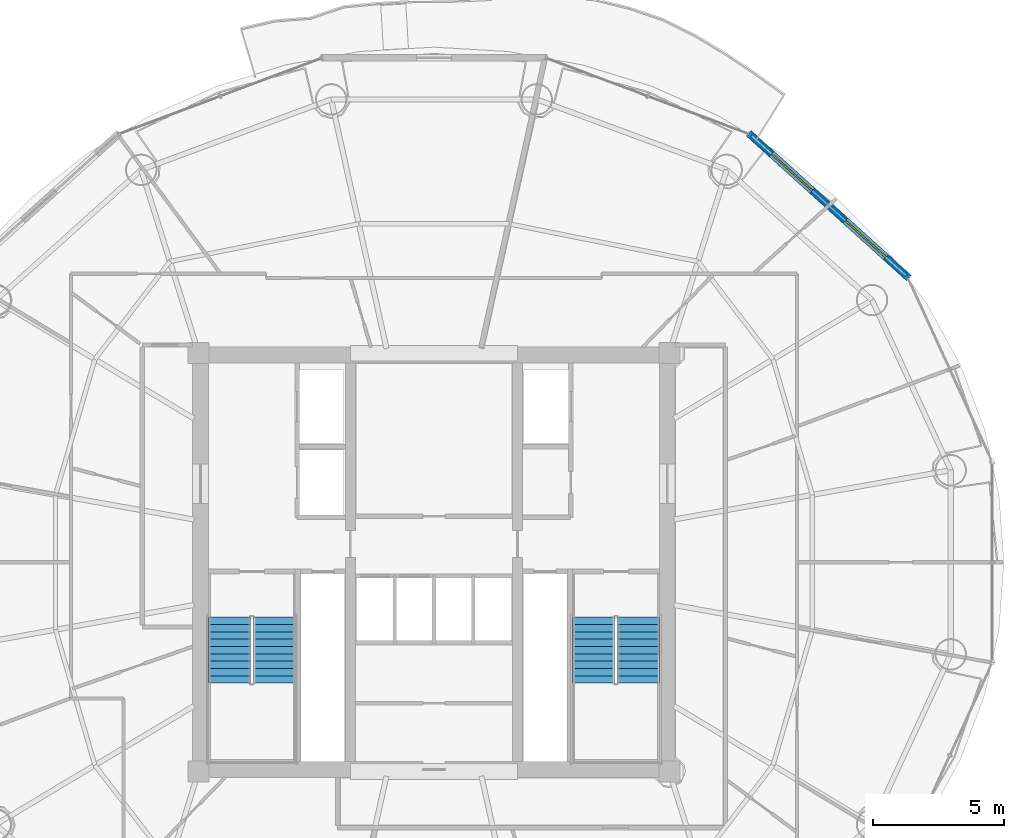
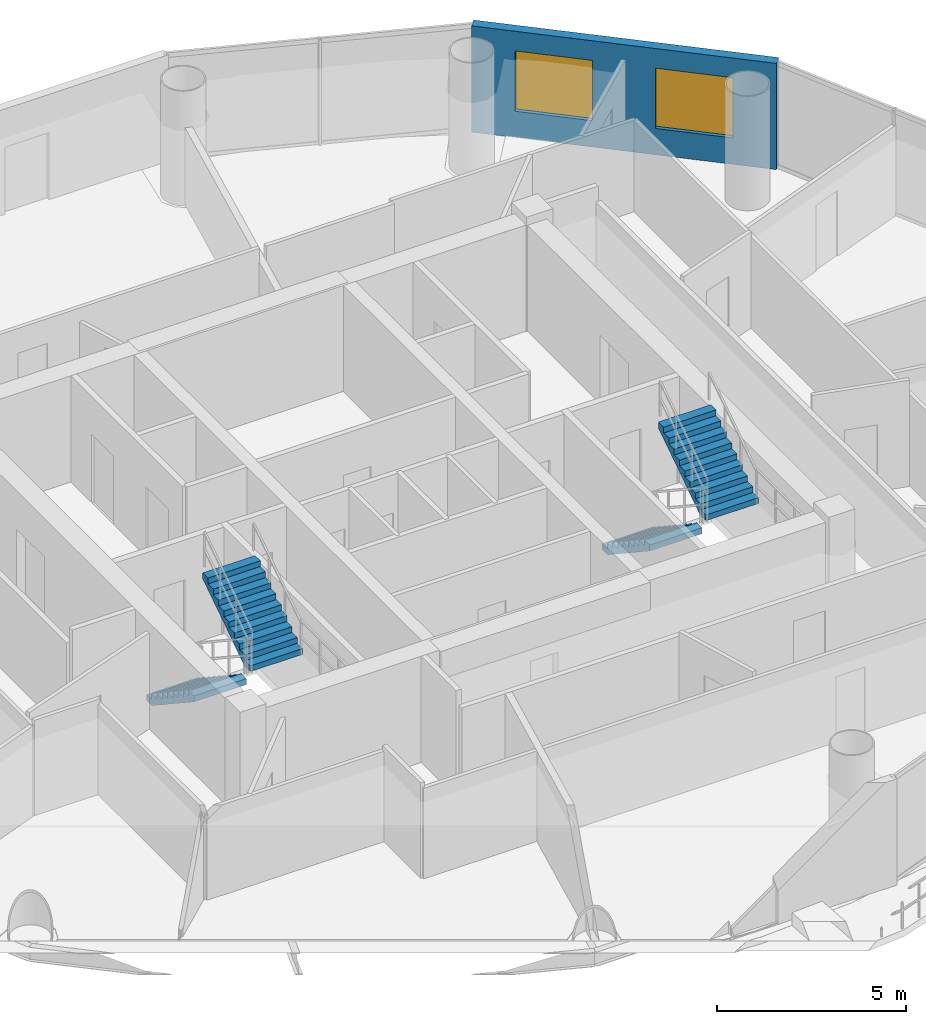
# One storey, part 23 of 26: 4 stair flights, 2 windows, 1 wall, 2 openings, 2 elements without a shape of their own.
"""IFC4 building model written with IfcOpenShell, lengths in metres."""

from ifc_helpers import new_model, si_unit, direction, frame, frame_2d, origin, place, context, subcontext, project, spatial, polyline, rectangle, outline, extrude, source, transform, mapped, material, layer, layer_set, type_object, element, fill, aggregate, save


model = new_model("IFC4")

# Units and contexts
model_context = context("Model", 3, precision=1e-05, world=origin(), true_north=direction((-0.2419218956, 0.970295726276)))
body_context = subcontext(model_context, "Body", "Model", "MODEL_VIEW")
ifc_project = project(units=[si_unit("LENGTHUNIT", "METRE"), si_unit("AREAUNIT", "SQUARE_METRE"), si_unit("VOLUMEUNIT", "CUBIC_METRE"), si_unit("PLANEANGLEUNIT", "RADIAN"), si_unit("MASSUNIT", "GRAM", prefix="KILO")], contexts=[model_context])

# Site, building, storey
site_placement = place(None, origin())
site = spatial("IfcSite", under=ifc_project, at=site_placement, CompositionType="ELEMENT")
building_placement = place(site_placement, origin())
building = spatial("IfcBuilding", under=site, at=building_placement, Name="Cobrevalo Terracotta Tower", CompositionType="ELEMENT")
storey_placement = place(building_placement, frame((0.0, 0.0, 228.199951171875)))
storey = spatial("IfcBuildingStorey", under=building, at=storey_placement, Name="L60", CompositionType="ELEMENT", Elevation=228.199951171875)

# Wall, openings, windows
ifc_material_1 = material(Name="Autoclaved aerated concrete block", Category="concrete")
ifc_layer = layer(ifc_material_1, 0.280029296875)
ifc_layer_set = layer_set([ifc_layer], Name="Autoclaved aerated concrete block")
wall_type = type_object("IfcWallType", Name="Insulated tower spandrel & pier wall 280 mm with terracotta rainscreen", PredefinedType="SOLIDWALL", material=ifc_layer_set)
wall_placement = place(storey_placement, frame((56.160400390625, 37.67431640625, 0.0), z_axis=(0.0, 0.0, 1.0), x_axis=(-0.741972126783, 0.670430729514, 0.0)))
wall = element("IfcWall", 1, at=wall_placement, inside=storey, type_object=wall_type, Name="L60 terracotta rainscreen pier wall S02", PredefinedType="SOLIDWALL", context=body_context, shape_type="SweptSolid", body=[
    extrude(rectangle(XDim=8.255126953125, YDim=0.280029296875, at=frame_2d((4.12744140625, 0.0))), origin(), (0.0, 0.0, 1.0), 3.43505859375),
])
opening_1_placement = place(wall_placement, frame((1.1787109375, 0.0, 0.85009765625)))
opening_1 = element("IfcOpeningElement", 2, at=opening_1_placement, cuts=wall, Name="Opening WN-10", PredefinedType="OPENING", context=body_context, shape_type="SweptSolid", body=[
    extrude(rectangle(XDim=2.10009765625, YDim=1.949951171875, at=frame_2d((1.050048828125, 0.97509765625))), frame((0.0, 0.14990234375, 0.0), z_axis=(0.0, -1.0, 0.0), x_axis=(1.0, 0.0, 0.0)), (0.0, 0.0, 1.0), 0.300048828125),
])
opening_2_placement = place(wall_placement, frame((4.97607421875, 0.0, 0.85009765625)))
opening_2 = element("IfcOpeningElement", 3, at=opening_2_placement, cuts=wall, Name="Opening WN-10", PredefinedType="OPENING", context=body_context, shape_type="SweptSolid", body=[
    extrude(rectangle(XDim=2.10009765625, YDim=1.949951171875, at=frame_2d((1.050048828125, 0.97509765625))), frame((0.0, 0.14990234375, 0.0), z_axis=(0.0, -1.0, 0.0), x_axis=(1.0, 0.0, 0.0)), (0.0, 0.0, 1.0), 0.300048828125),
])
ifc_material_2 = material(Name="Solar-control low-E double glazing", Category="glass")
window_type = type_object("IfcWindowType", Name="Wide panoramic low-E aluminium window 2100x1950", PartitioningType="SINGLE_PANEL", PredefinedType="WINDOW", material=ifc_material_2)
shared_shape = source(origin(), body_context, "Body", "SweptSolid", [
    extrude(rectangle(XDim=2.10009765625, YDim=1.949951171875, at=frame_2d((1.050048828125, 0.97509765625))), frame((0.0, 0.030029296875, 0.0), z_axis=(0.0, -1.0, 0.0), x_axis=(1.0, 0.0, 0.0)), (0.0, 0.0, 1.0), 0.06005859375),
])
window_1_placement = place(opening_1_placement, origin())
window_1 = element("IfcWindow", 4, at=window_1_placement, inside=storey, type_object=window_type, Name="L60 suite window S02A", OverallHeight=1.949951171875, OverallWidth=2.10009765625, PartitioningType="SINGLE_PANEL", PredefinedType="WINDOW", context=body_context, shape_type="MappedRepresentation", body=[
    mapped(shared_shape, transform((0.0, 0.0, 0.0), scale=1.0)),
])
fill(opening_1, window_1)
window_2_placement = place(opening_2_placement, origin())
window_2 = element("IfcWindow", 5, at=window_2_placement, inside=storey, type_object=window_type, Name="L60 suite window S02B", OverallHeight=1.949951171875, OverallWidth=2.10009765625, PartitioningType="SINGLE_PANEL", PredefinedType="WINDOW", context=body_context, shape_type="MappedRepresentation", body=[
    mapped(shared_shape, transform((0.0, 0.0, 0.0), scale=1.0)),
])
fill(opening_2, window_2)

# Stair, stair flights
ifc_material_3 = material(Name="Concrete C50", Category="concrete")
stair_type = type_object("IfcStairType", Name="Core protected escape dogleg stair 1600", PredefinedType="HALF_TURN_STAIR", material=ifc_material_3)
stair_1_placement = place(storey_placement, origin())
stair_1 = element("IfcStair", 6, at=stair_1_placement, inside=storey, type_object=stair_type, Name="L60 Protected exit stair ST-1", PredefinedType="HALF_TURN_STAIR")
stair_flight_type = type_object("IfcStairFlightType", Name="Core protected escape dogleg stair 1600 flight", PredefinedType="STRAIGHT", material=ifc_material_3)
stair_flight_1_placement = place(storey_placement, frame((30.175048828125, 24.699951171875, 0.0), z_axis=(0.0, 0.0, 1.0), x_axis=(0.0, -1.0, 0.0)))
stair_flight_1 = element("IfcStairFlight", 7, at=stair_flight_1_placement, type_object=stair_flight_type, Name="ST-1 flight 1", NumberOfRisers=10, NumberOfTreads=9, PredefinedType="STRAIGHT", RiserHeight=0.185, TreadLength=0.28, context=body_context, shape_type="SweptSolid", body=[
    extrude(outline(polyline([(0.0, 0.0), (0.0, 0.18505859375), (0.280029296875, 0.18505859375), (0.280029296875, 0.3701171875), (0.56005859375, 0.3701171875), (0.56005859375, 0.554931640625), (0.840087890625, 0.554931640625), (0.840087890625, 0.739990234375), (1.1201171875, 0.739990234375), (1.1201171875, 0.925048828125), (1.39990234375, 0.925048828125), (1.39990234375, 1.110107421875), (1.679931640625, 1.110107421875), (1.679931640625, 1.294921875), (1.9599609375, 1.294921875), (1.9599609375, 1.47998046875), (2.239990234375, 1.47998046875), (2.239990234375, 1.6650390625), (2.52001953125, 1.6650390625), (2.52001953125, 1.85009765625), (2.52001953125, 1.473388671875), (0.2900390625, 0.0), (0.0, 0.0)])), frame((0.0, 0.800048828125, 0.0), z_axis=(0.0, -1.0, 0.0), x_axis=(1.0, 0.0, 0.0)), (0.0, 0.0, 1.0), 1.60009765625),
])
stair_flight_2_placement = place(storey_placement, frame((31.89501953125, 22.179931640625, 1.85009765625), z_axis=(0.0, 0.0, 1.0), x_axis=(0.0, 1.0, 0.0)))
stair_flight_2 = element("IfcStairFlight", 8, at=stair_flight_2_placement, type_object=stair_flight_type, Name="ST-1 flight 2", NumberOfRisers=10, NumberOfTreads=9, PredefinedType="STRAIGHT", RiserHeight=0.185, TreadLength=0.28, context=body_context, shape_type="SweptSolid", body=[
    extrude(outline(polyline([(0.0, 0.0), (0.0, 0.18505859375), (0.280029296875, 0.18505859375), (0.280029296875, 0.3701171875), (0.56005859375, 0.3701171875), (0.56005859375, 0.554931640625), (0.840087890625, 0.554931640625), (0.840087890625, 0.739990234375), (1.1201171875, 0.739990234375), (1.1201171875, 0.925048828125), (1.39990234375, 0.925048828125), (1.39990234375, 1.110107421875), (1.679931640625, 1.110107421875), (1.679931640625, 1.294921875), (1.9599609375, 1.294921875), (1.9599609375, 1.47998046875), (2.239990234375, 1.47998046875), (2.239990234375, 1.6650390625), (2.52001953125, 1.6650390625), (2.52001953125, 1.85009765625), (2.52001953125, 1.473388671875), (0.2900390625, 0.0), (0.0, 0.0)])), frame((0.0, 0.800048828125, 0.0), z_axis=(0.0, -1.0, 0.0), x_axis=(1.0, 0.0, 0.0)), (0.0, 0.0, 1.0), 1.60009765625),
])
aggregate(stair_1, [stair_flight_1, stair_flight_2])

stair_2_placement = place(storey_placement, origin())
stair_2 = element("IfcStair", 9, at=stair_2_placement, inside=storey, type_object=stair_type, Name="L60 Protected exit stair ST-2", PredefinedType="HALF_TURN_STAIR")
stair_flight_3_placement = place(storey_placement, frame((44.10498046875, 24.699951171875, 0.0), z_axis=(0.0, 0.0, 1.0), x_axis=(0.0, -1.0, 0.0)))
stair_flight_3 = element("IfcStairFlight", 10, at=stair_flight_3_placement, type_object=stair_flight_type, Name="ST-2 flight 1", NumberOfRisers=10, NumberOfTreads=9, PredefinedType="STRAIGHT", RiserHeight=0.185, TreadLength=0.28, context=body_context, shape_type="SweptSolid", body=[
    extrude(outline(polyline([(0.0, 0.0), (0.0, 0.18505859375), (0.280029296875, 0.18505859375), (0.280029296875, 0.3701171875), (0.56005859375, 0.3701171875), (0.56005859375, 0.554931640625), (0.840087890625, 0.554931640625), (0.840087890625, 0.739990234375), (1.1201171875, 0.739990234375), (1.1201171875, 0.925048828125), (1.39990234375, 0.925048828125), (1.39990234375, 1.110107421875), (1.679931640625, 1.110107421875), (1.679931640625, 1.294921875), (1.9599609375, 1.294921875), (1.9599609375, 1.47998046875), (2.239990234375, 1.47998046875), (2.239990234375, 1.6650390625), (2.52001953125, 1.6650390625), (2.52001953125, 1.85009765625), (2.52001953125, 1.473388671875), (0.2900390625, 0.0), (0.0, 0.0)])), frame((0.0, 0.800048828125, 0.0), z_axis=(0.0, -1.0, 0.0), x_axis=(1.0, 0.0, 0.0)), (0.0, 0.0, 1.0), 1.60009765625),
])
stair_flight_4_placement = place(storey_placement, frame((45.824951171875, 22.179931640625, 1.85009765625), z_axis=(0.0, 0.0, 1.0), x_axis=(0.0, 1.0, 0.0)))
stair_flight_4 = element("IfcStairFlight", 11, at=stair_flight_4_placement, type_object=stair_flight_type, Name="ST-2 flight 2", NumberOfRisers=10, NumberOfTreads=9, PredefinedType="STRAIGHT", RiserHeight=0.185, TreadLength=0.28, context=body_context, shape_type="SweptSolid", body=[
    extrude(outline(polyline([(0.0, 0.0), (0.0, 0.18505859375), (0.280029296875, 0.18505859375), (0.280029296875, 0.3701171875), (0.56005859375, 0.3701171875), (0.56005859375, 0.554931640625), (0.840087890625, 0.554931640625), (0.840087890625, 0.739990234375), (1.1201171875, 0.739990234375), (1.1201171875, 0.925048828125), (1.39990234375, 0.925048828125), (1.39990234375, 1.110107421875), (1.679931640625, 1.110107421875), (1.679931640625, 1.294921875), (1.9599609375, 1.294921875), (1.9599609375, 1.47998046875), (2.239990234375, 1.47998046875), (2.239990234375, 1.6650390625), (2.52001953125, 1.6650390625), (2.52001953125, 1.85009765625), (2.52001953125, 1.473388671875), (0.2900390625, 0.0), (0.0, 0.0)])), frame((0.0, 0.800048828125, 0.0), z_axis=(0.0, -1.0, 0.0), x_axis=(1.0, 0.0, 0.0)), (0.0, 0.0, 1.0), 1.60009765625),
])
aggregate(stair_2, [stair_flight_3, stair_flight_4])

save(model, "model.ifc")
